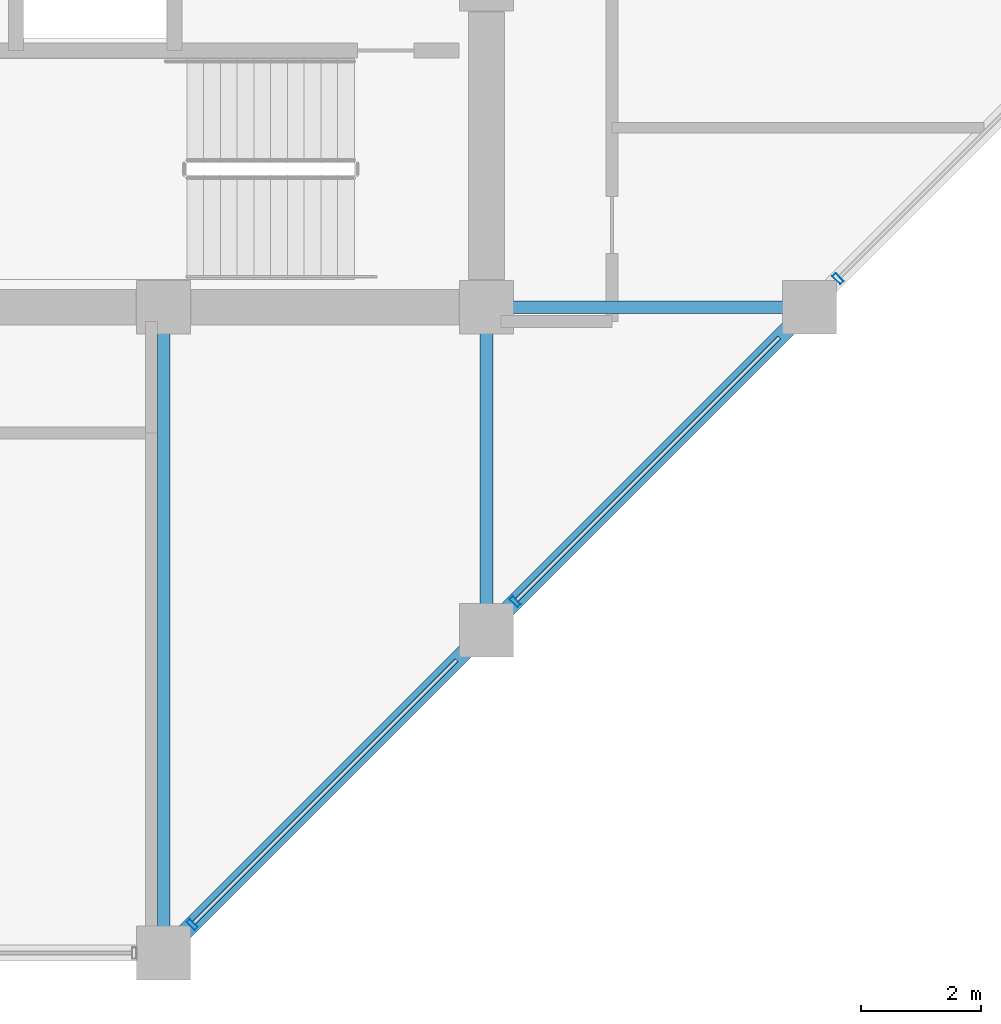
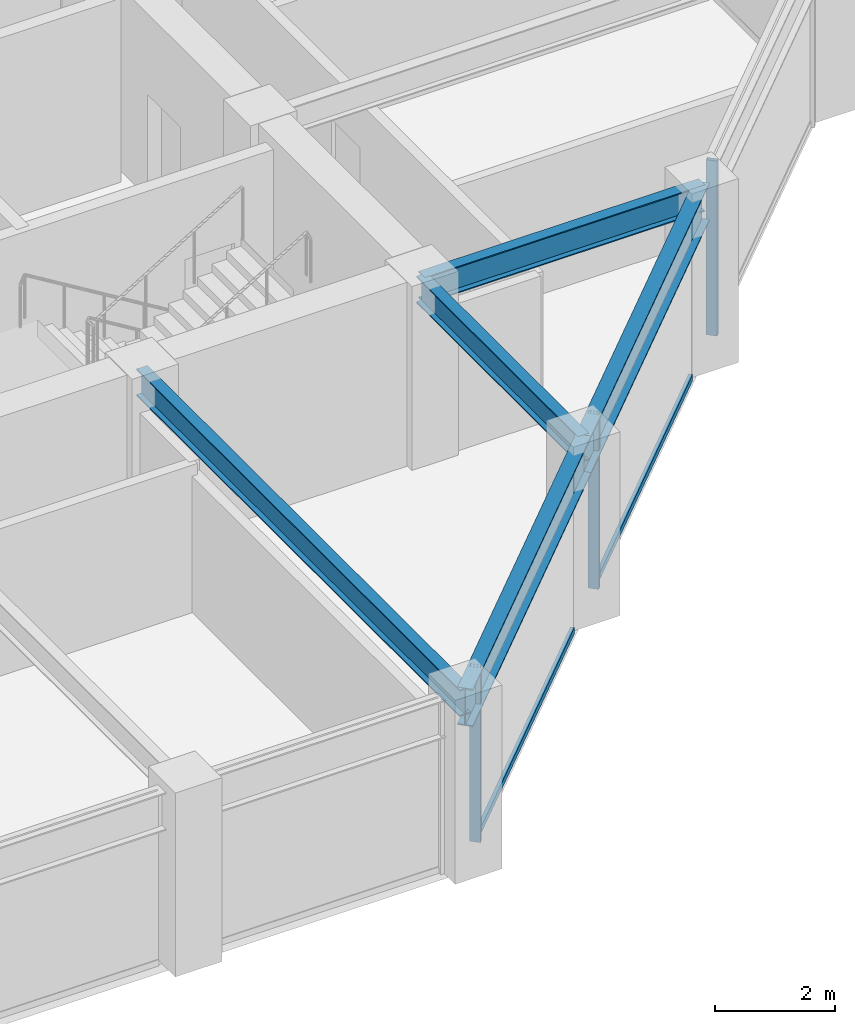
# One storey, part 12 of 32: 5 beams, 5 members, 1 element without a shape of its own.
"""IFC4 building model written with IfcOpenShell, lengths in metres."""

from ifc_helpers import new_model, si_unit, direction, frame, origin, origin_2d, place, context, subcontext, project, spatial, hollow_rectangle, i_section, extrude, material, layer, layer_set, material_profile, profile_set, type_object, element, aggregate, save


model = new_model("IFC4")

# Units and contexts
model_context = context("Model", 3, precision=1e-05, world=origin(), true_north=direction((0.0, 1.0)))
body_context = subcontext(model_context, "Body", "Model", "MODEL_VIEW")
ifc_project = project(units=[si_unit("LENGTHUNIT", "METRE"), si_unit("AREAUNIT", "SQUARE_METRE"), si_unit("VOLUMEUNIT", "CUBIC_METRE"), si_unit("PLANEANGLEUNIT", "RADIAN"), si_unit("MASSUNIT", "GRAM", prefix="KILO")], contexts=[model_context])

# Site, building, storey
site_placement = place(None, origin())
site = spatial("IfcSite", under=ifc_project, at=site_placement, CompositionType="ELEMENT")
building_placement = place(site_placement, origin())
building = spatial("IfcBuilding", under=site, at=building_placement, Name="Surkhivell Harbour Commons", CompositionType="ELEMENT")
storey_placement = place(building_placement, frame((0.0, 0.0, 201.0)))
storey = spatial("IfcBuildingStorey", under=building, at=storey_placement, Name="L52", CompositionType="ELEMENT", Elevation=201.0)

# Beams
ifc_material_1 = material(Name="Steel S355", Category="steel")
ifc_material_profile_1 = material_profile(ifc_material_1, i_section(OverallWidth=0.2119140625, OverallDepth=0.5439453125, WebThickness=0.0126953125, FlangeThickness=0.021240234375, at=origin_2d()), Name="UB533x210x122")
ifc_profile_set_1 = profile_set([ifc_material_profile_1], Name="Steel S355")
beam_type_1 = type_object("IfcBeamType", Name="BM-GRD-533A", PredefinedType="BEAM", material=ifc_profile_set_1)
beam_1_placement = place(storey_placement, frame((5.39990234375, -21.60009765625, 3.298095703125), z_axis=(0.0, 1.0, 0.0), x_axis=(-1.0, 0.0, 0.0)))
element("IfcBeam", 1, at=beam_1_placement, inside=storey, type_object=beam_type_1, Name="L52 Floor Girder (5.4,-21.6)", PredefinedType="BEAM", context=body_context, shape_type="SweptSolid", body=[
    extrude(i_section(OverallWidth=0.2119140625, OverallDepth=0.5439453125, WebThickness=0.0126953125, FlangeThickness=0.021240234375, at=origin_2d()), origin(), (0.0, 0.0, 1.0), 10.800048828125),
])
for number, where, z_axis, x_axis, name in (
    (2, (10.800048828125, -16.199951171875, 3.298095703125), (0.0, 1.0, 0.0), (-1.0, 0.0, 0.0), "L52 Floor Girder (10.8,-16.2)"),
    (3, (10.800048828125, -10.800048828125, 3.298095703125), (1.0, 0.0, 0.0), (0.0, 1.0, 0.0), "L52 Floor Girder (10.8,-10.8)"),
):
    element("IfcBeam", number, at=place(storey_placement, frame(where, z_axis=z_axis, x_axis=x_axis)), inside=storey, type_object=beam_type_1, Name=name, PredefinedType="BEAM", context=body_context, shape_type="SweptSolid", body=[
        extrude(i_section(OverallWidth=0.2119140625, OverallDepth=0.5439453125, WebThickness=0.0126953125, FlangeThickness=0.021240234375, at=origin_2d()), origin(), (0.0, 0.0, 1.0), 5.39990234375),
    ])
ifc_material_profile_2 = material_profile(ifc_material_1, i_section(OverallWidth=0.26806640625, OverallDepth=0.77001953125, WebThickness=0.015625, FlangeThickness=0.025390625, at=origin_2d()), Name="UB762x267x197")
ifc_profile_set_2 = profile_set([ifc_material_profile_2], Name="Steel S355")
beam_type_2 = type_object("IfcBeamType", Name="BM-SPN-762", PredefinedType="SPANDREL", material=ifc_profile_set_2)
beam_2_placement = place(storey_placement, frame((5.39990234375, -21.60009765625, 3.18505859375), z_axis=(0.707106781187, 0.707106781187, 0.0), x_axis=(-0.707106781187, 0.707106781187, 0.0)))
element("IfcBeam", 4, at=beam_2_placement, inside=storey, type_object=beam_type_2, Name="L52 Tube Spandrel (5.4,-21.6)", PredefinedType="SPANDREL", context=body_context, shape_type="SweptSolid", body=[
    extrude(i_section(OverallWidth=0.26806640625, OverallDepth=0.77001953125, WebThickness=0.015625, FlangeThickness=0.025390625, at=origin_2d()), origin(), (0.0, 0.0, 1.0), 7.636962890625),
])
beam_3_placement = place(storey_placement, frame((10.800048828125, -16.199951171875, 3.18505859375), z_axis=(0.707106781187, 0.707106781187, 0.0), x_axis=(-0.707106781187, 0.707106781187, 0.0)))
element("IfcBeam", 5, at=beam_3_placement, inside=storey, type_object=beam_type_2, Name="L52 Tube Spandrel (10.8,-16.2)", PredefinedType="SPANDREL", context=body_context, shape_type="SweptSolid", body=[
    extrude(i_section(OverallWidth=0.26806640625, OverallDepth=0.77001953125, WebThickness=0.015625, FlangeThickness=0.025390625, at=origin_2d()), origin(), (0.0, 0.0, 1.0), 7.63671875),
])

# Curtain wall, members
ifc_material_2 = material(Name="Anodised pale-metal aluminium and insulated glazing", Category="aluminium")
ifc_layer = layer(ifc_material_2, 0.18994140625)
ifc_layer_set = layer_set([ifc_layer], Name="Anodised pale-metal aluminium and insulated glazing")
curtain_wall_type = type_object("IfcCurtainWallType", Name="CW-SYS-Z3", PredefinedType="NOTDEFINED", material=ifc_layer_set)
curtain_wall_placement = place(storey_placement, origin())
curtain_wall = element("IfcCurtainWall", 6, at=curtain_wall_placement, inside=storey, type_object=curtain_wall_type, Name="L52 Curtain Wall CW-L52-E01", PredefinedType="NOTDEFINED")
ifc_material_3 = material(Name="Anodised pale-metal aluminium alloy 6063-T6", Category="aluminium")
ifc_material_profile_3 = material_profile(ifc_material_3, hollow_rectangle(XDim=0.074951171875, YDim=0.18994140625, WallThickness=0.00390625, at=origin_2d()), Name="ALU-MULL-75x190")
ifc_profile_set_3 = profile_set([ifc_material_profile_3], Name="Anodised pale-metal aluminium alloy 6063-T6")
member_type_1 = type_object("IfcMemberType", Name="CWM-190", PredefinedType="MULLION", material=ifc_profile_set_3)
member_1_placement = place(storey_placement, frame((5.878173828125, -21.121826171875, 0.0), z_axis=(0.0, 0.0, 1.0), x_axis=(0.707106781187, 0.707106781187, 0.0)))
member_1 = element("IfcMember", 7, at=member_1_placement, type_object=member_type_1, Name="CW-Z3 mullion 1", PredefinedType="MULLION", context=body_context, shape_type="SweptSolid", body=[
    extrude(hollow_rectangle(XDim=0.074951171875, YDim=0.18994140625, WallThickness=0.00390625, at=origin_2d()), origin(), (0.0, 0.0, 1.0), 3.570068359375),
])
member_2_placement = place(storey_placement, frame((11.278076171875, -15.721923828125, 0.0), z_axis=(0.0, 0.0, 1.0), x_axis=(0.707106781187, 0.707106781187, 0.0)))
member_2 = element("IfcMember", 8, at=member_2_placement, type_object=member_type_1, Name="CW-Z3 mullion 2", PredefinedType="MULLION", context=body_context, shape_type="SweptSolid", body=[
    extrude(hollow_rectangle(XDim=0.074951171875, YDim=0.18994140625, WallThickness=0.00390625, at=origin_2d()), origin(), (0.0, 0.0, 1.0), 3.570068359375),
])
member_3_placement = place(storey_placement, frame((16.67822265625, -10.32177734375, 0.0), z_axis=(0.0, 0.0, 1.0), x_axis=(0.707106781187, 0.707106781187, 0.0)))
member_3 = element("IfcMember", 9, at=member_3_placement, type_object=member_type_1, Name="CW-Z3 mullion 3", PredefinedType="MULLION", context=body_context, shape_type="SweptSolid", body=[
    extrude(hollow_rectangle(XDim=0.074951171875, YDim=0.18994140625, WallThickness=0.00390625, at=origin_2d()), origin(), (0.0, 0.0, 1.0), 3.570068359375),
])
ifc_material_4 = material(Name="Champagne anodised aluminium alloy 6063-T6", Category="aluminium")
ifc_material_profile_4 = material_profile(ifc_material_4, hollow_rectangle(XDim=0.070068359375, YDim=0.1298828125, WallThickness=0.00341796875, at=origin_2d()), Name="ALU-TRAN-70x130")
ifc_profile_set_4 = profile_set([ifc_material_profile_4], Name="Champagne anodised aluminium alloy 6063-T6")
member_type_2 = type_object("IfcMemberType", Name="CWT-130", PredefinedType="USERDEFINED", material=ifc_profile_set_4)
member_4_placement = place(storey_placement, frame((5.90478515625, -21.09521484375, 0.06494140625), z_axis=(0.707106781187, 0.707106781187, 0.0), x_axis=(-0.707106781187, 0.707106781187, 0.0)))
member_4 = element("IfcMember", 10, at=member_4_placement, type_object=member_type_2, Name="CW-Z3 transom 1.1", ObjectType="TRANSOM", PredefinedType="USERDEFINED", context=body_context, shape_type="SweptSolid", body=[
    extrude(hollow_rectangle(XDim=0.070068359375, YDim=0.1298828125, WallThickness=0.00341796875, at=origin_2d()), origin(), (0.0, 0.0, 1.0), 6.209228515625),
])
member_5_placement = place(storey_placement, frame((11.3046875, -15.6953125, 0.06494140625), z_axis=(0.707106781187, 0.707106781187, 0.0), x_axis=(-0.707106781187, 0.707106781187, 0.0)))
member_5 = element("IfcMember", 11, at=member_5_placement, type_object=member_type_2, Name="CW-Z3 transom 2.1", ObjectType="TRANSOM", PredefinedType="USERDEFINED", context=body_context, shape_type="SweptSolid", body=[
    extrude(hollow_rectangle(XDim=0.070068359375, YDim=0.1298828125, WallThickness=0.00341796875, at=origin_2d()), origin(), (0.0, 0.0, 1.0), 6.209228515625),
])
aggregate(curtain_wall, [member_1, member_4, member_2, member_5, member_3])

save(model, "model.ifc")
